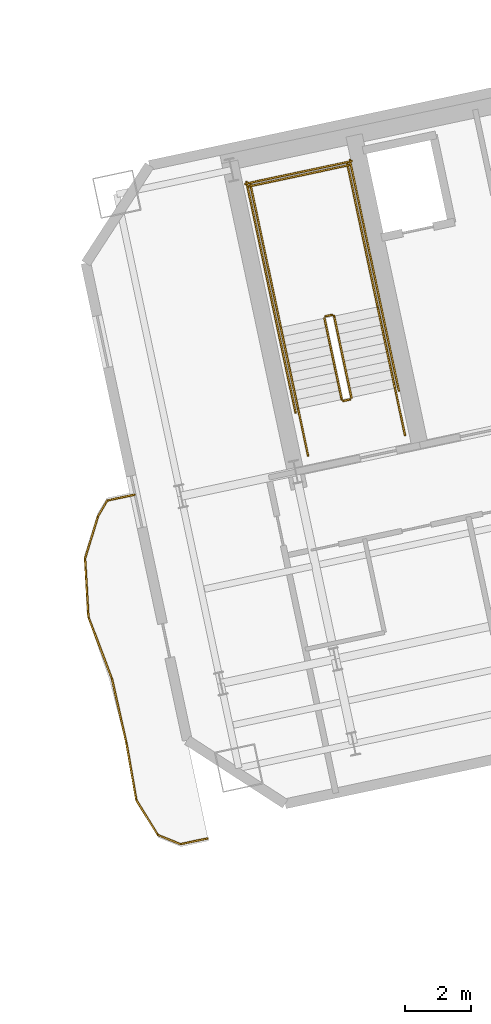
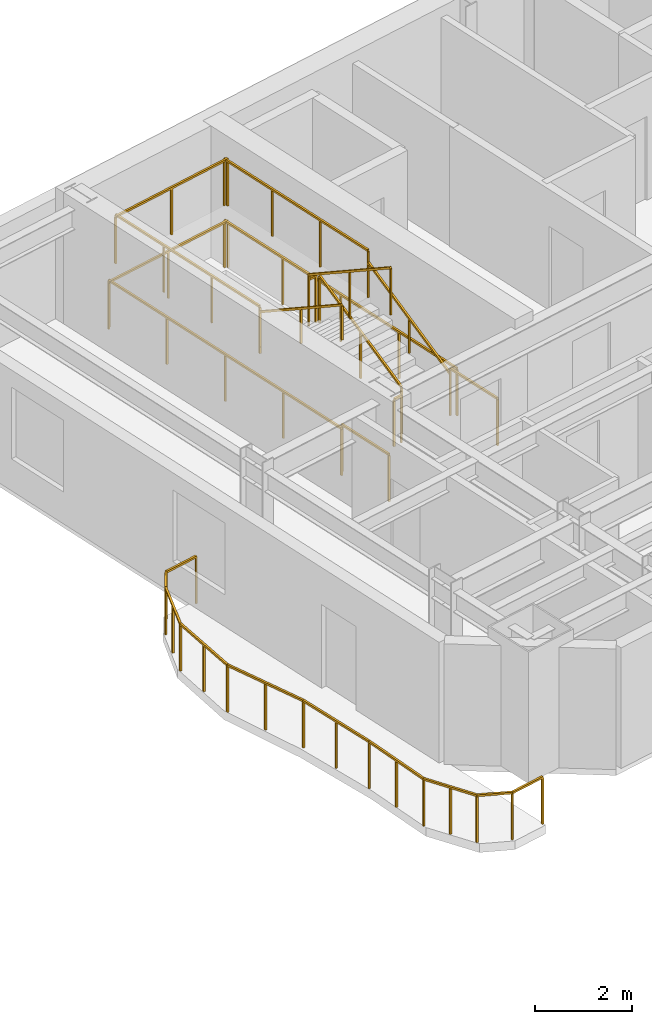
# One storey, part 13 of 14: 24 railings.
"""IFC4 building model written with IfcOpenShell, lengths in metres."""

from ifc_helpers import new_model, si_unit, direction, frame, origin, origin_2d, place, context, subcontext, project, spatial, rectangle, extrude, material, type_object, element, save


model = new_model("IFC4")

# Units and contexts
model_context = context("Model", 3, precision=1e-05, world=origin(), true_north=direction((0.0, 1.0)))
body_context = subcontext(model_context, "Body", "Model", "MODEL_VIEW")
ifc_project = project(units=[si_unit("LENGTHUNIT", "METRE"), si_unit("AREAUNIT", "SQUARE_METRE"), si_unit("VOLUMEUNIT", "CUBIC_METRE"), si_unit("PLANEANGLEUNIT", "RADIAN"), si_unit("MASSUNIT", "GRAM", prefix="KILO")], contexts=[model_context])

# Site, building, storey
site_placement = place(None, origin())
site = spatial("IfcSite", under=ifc_project, at=site_placement, CompositionType="ELEMENT")
building_placement = place(site_placement, origin())
building = spatial("IfcBuilding", under=site, at=building_placement, Name="Haevon Station Towers", CompositionType="ELEMENT")
storey_placement = place(building_placement, frame((0.0, 0.0, 179.10009765625)))
storey = spatial("IfcBuildingStorey", under=building, at=storey_placement, Name="L49", CompositionType="ELEMENT", Elevation=179.10009765625)

# Railings
ifc_material = material(Name="Steel S355", Category="steel")
railing_type_1 = type_object("IfcRailingType", Name="GRD-EXT1200", PredefinedType="GUARDRAIL", material=ifc_material)
railing_1_placement = place(storey_placement, frame((93.866455078125, 36.74853515625, 0.0)))
element("IfcRailing", 1, at=railing_1_placement, inside=storey, type_object=railing_type_1, Name="L49 Perimeter Guardrail 1", PredefinedType="GUARDRAIL", context=body_context, shape_type="SweptSolid", body=[
    extrude(rectangle(XDim=0.048095703125, YDim=0.048095703125, at=origin_2d()), frame((0.0, 0.0, 1.17578125), z_axis=(-0.977691431104, -0.210046341426, 0.0), x_axis=(0.210046341426, -0.977691431104, 0.0)), (0.0, 0.0, 1.0), 0.838134765625),
    extrude(rectangle(XDim=0.0419921875, YDim=0.0419921875, at=origin_2d()), origin(), (0.0, 0.0, 1.0), 1.15185546875),
    extrude(rectangle(XDim=0.0419921875, YDim=0.0419921875, at=origin_2d()), frame((-0.8193359375, -0.176025390625, 0.0)), (0.0, 0.0, 1.0), 1.15185546875),
])
railing_2_placement = place(storey_placement, frame((93.047119140625, 36.572509765625, 0.0)))
element("IfcRailing", 2, at=railing_2_placement, inside=storey, type_object=railing_type_1, Name="L49 Perimeter Guardrail 2", PredefinedType="GUARDRAIL", context=body_context, shape_type="SweptSolid", body=[
    extrude(rectangle(XDim=0.048095703125, YDim=0.048095703125, at=origin_2d()), frame((0.0, 0.0, 1.17578125), z_axis=(-0.50791843556, -0.861405167629, 0.0), x_axis=(0.861405167629, -0.50791843556, 0.0)), (0.0, 0.0, 1.0), 0.55810546875),
    extrude(rectangle(XDim=0.0419921875, YDim=0.0419921875, at=origin_2d()), origin(), (0.0, 0.0, 1.0), 1.15185546875),
    extrude(rectangle(XDim=0.0419921875, YDim=0.0419921875, at=origin_2d()), frame((-0.283447265625, -0.480712890625, 0.0)), (0.0, 0.0, 1.0), 1.15185546875),
])
railing_3_placement = place(storey_placement, frame((92.763671875, 36.091796875, 0.0)))
element("IfcRailing", 3, at=railing_3_placement, inside=storey, type_object=railing_type_1, Name="L49 Perimeter Guardrail 3", PredefinedType="GUARDRAIL", context=body_context, shape_type="SweptSolid", body=[
    extrude(rectangle(XDim=0.048095703125, YDim=0.048095703125, at=origin_2d()), frame((0.0, 0.0, 1.17578125), z_axis=(-0.290899845099, -0.95675351064, 0.0), x_axis=(0.95675351064, -0.290899845099, 0.0)), (0.0, 0.0, 1.0), 1.336181640625),
    extrude(rectangle(XDim=0.0419921875, YDim=0.0419921875, at=origin_2d()), origin(), (0.0, 0.0, 1.0), 1.15185546875),
    extrude(rectangle(XDim=0.0419921875, YDim=0.0419921875, at=origin_2d()), frame((-0.1943359375, -0.63916015625, 0.0)), (0.0, 0.0, 1.0), 1.15185546875),
    extrude(rectangle(XDim=0.0419921875, YDim=0.0419921875, at=origin_2d()), frame((-0.388671875, -1.2783203125, 0.0)), (0.0, 0.0, 1.0), 1.15185546875),
])
railing_4_placement = place(storey_placement, frame((92.375, 34.8134765625, 0.0)))
element("IfcRailing", 4, at=railing_4_placement, inside=storey, type_object=railing_type_1, Name="L49 Perimeter Guardrail 4", PredefinedType="GUARDRAIL", context=body_context, shape_type="SweptSolid", body=[
    extrude(rectangle(XDim=0.048095703125, YDim=0.048095703125, at=origin_2d()), frame((0.0, 0.0, 1.17578125), z_axis=(0.057490580882, -0.998346048778, 0.0), x_axis=(0.998346048778, 0.057490580882, 0.0)), (0.0, 0.0, 1.0), 1.7666015625),
    extrude(rectangle(XDim=0.0419921875, YDim=0.0419921875, at=origin_2d()), origin(), (0.0, 0.0, 1.0), 1.15185546875),
    extrude(rectangle(XDim=0.0419921875, YDim=0.0419921875, at=origin_2d()), frame((0.05078125, -0.8818359375, 0.0)), (0.0, 0.0, 1.0), 1.15185546875),
    extrude(rectangle(XDim=0.0419921875, YDim=0.0419921875, at=origin_2d()), frame((0.1015625, -1.763671875, 0.0)), (0.0, 0.0, 1.0), 1.15185546875),
])
railing_5_placement = place(storey_placement, frame((92.4765625, 33.0498046875, 0.0)))
element("IfcRailing", 5, at=railing_5_placement, inside=storey, type_object=railing_type_1, Name="L49 Perimeter Guardrail 5", PredefinedType="GUARDRAIL", context=body_context, shape_type="SweptSolid", body=[
    extrude(rectangle(XDim=0.048095703125, YDim=0.048095703125, at=origin_2d()), frame((0.0, 0.0, 1.17578125), z_axis=(0.35410675099, -0.935205009024, 0.0), x_axis=(0.935205009024, 0.35410675099, 0.0)), (0.0, 0.0, 1.0), 2.0166015625),
    extrude(rectangle(XDim=0.0419921875, YDim=0.0419921875, at=origin_2d()), origin(), (0.0, 0.0, 1.0), 1.15185546875),
    extrude(rectangle(XDim=0.0419921875, YDim=0.0419921875, at=origin_2d()), frame((0.35693359375, -0.94287109375, 0.0)), (0.0, 0.0, 1.0), 1.15185546875),
    extrude(rectangle(XDim=0.0419921875, YDim=0.0419921875, at=origin_2d()), frame((0.714111328125, -1.885986328125, 0.0)), (0.0, 0.0, 1.0), 1.15185546875),
])
railing_6_placement = place(storey_placement, frame((93.190673828125, 31.163818359375, 0.0)))
element("IfcRailing", 6, at=railing_6_placement, inside=storey, type_object=railing_type_1, Name="L49 Perimeter Guardrail 6", PredefinedType="GUARDRAIL", context=body_context, shape_type="SweptSolid", body=[
    extrude(rectangle(XDim=0.048095703125, YDim=0.048095703125, at=origin_2d()), frame((0.0, 0.0, 1.17578125), z_axis=(0.220411539334, -0.975406968054, 0.0), x_axis=(0.975406968054, 0.220411539334, 0.0)), (0.0, 0.0, 1.0), 1.9892578125),
    extrude(rectangle(XDim=0.0419921875, YDim=0.0419921875, at=origin_2d()), origin(), (0.0, 0.0, 1.0), 1.15185546875),
    extrude(rectangle(XDim=0.0419921875, YDim=0.0419921875, at=origin_2d()), frame((0.21923828125, -0.97021484375, 0.0)), (0.0, 0.0, 1.0), 1.15185546875),
    extrude(rectangle(XDim=0.0419921875, YDim=0.0419921875, at=origin_2d()), frame((0.4384765625, -1.9404296875, 0.0)), (0.0, 0.0, 1.0), 1.15185546875),
])
railing_7_placement = place(storey_placement, frame((93.629150390625, 29.223388671875, 0.0)))
element("IfcRailing", 7, at=railing_7_placement, inside=storey, type_object=railing_type_1, Name="L49 Perimeter Guardrail 7", PredefinedType="GUARDRAIL", context=body_context, shape_type="SweptSolid", body=[
    extrude(rectangle(XDim=0.048095703125, YDim=0.048095703125, at=origin_2d()), frame((0.0, 0.0, 1.17578125), z_axis=(0.171741201194, -0.98514210133, 0.0), x_axis=(0.98514210133, 0.171741201194, 0.0)), (0.0, 0.0, 1.0), 1.75146484375),
    extrude(rectangle(XDim=0.0419921875, YDim=0.0419921875, at=origin_2d()), origin(), (0.0, 0.0, 1.0), 1.15185546875),
    extrude(rectangle(XDim=0.0419921875, YDim=0.0419921875, at=origin_2d()), frame((0.150390625, -0.86279296875, 0.0)), (0.0, 0.0, 1.0), 1.15185546875),
    extrude(rectangle(XDim=0.0419921875, YDim=0.0419921875, at=origin_2d()), frame((0.30078125, -1.725341796875, 0.0)), (0.0, 0.0, 1.0), 1.15185546875),
])
railing_8_placement = place(storey_placement, frame((93.929931640625, 27.498046875, 0.0)))
element("IfcRailing", 8, at=railing_8_placement, inside=storey, type_object=railing_type_1, Name="L49 Perimeter Guardrail 8", PredefinedType="GUARDRAIL", context=body_context, shape_type="SweptSolid", body=[
    extrude(rectangle(XDim=0.048095703125, YDim=0.048095703125, at=origin_2d()), frame((0.0, 0.0, 1.17578125), z_axis=(0.525664401049, -0.850692034446, 0.0), x_axis=(0.850692034446, 0.525664401049, 0.0)), (0.0, 0.0, 1.0), 1.242431640625),
    extrude(rectangle(XDim=0.0419921875, YDim=0.0419921875, at=origin_2d()), origin(), (0.0, 0.0, 1.0), 1.15185546875),
    extrude(rectangle(XDim=0.0419921875, YDim=0.0419921875, at=origin_2d()), frame((0.32666015625, -0.5283203125, 0.0)), (0.0, 0.0, 1.0), 1.15185546875),
    extrude(rectangle(XDim=0.0419921875, YDim=0.0419921875, at=origin_2d()), frame((0.653076171875, -1.056884765625, 0.0)), (0.0, 0.0, 1.0), 1.15185546875),
])
railing_9_placement = place(storey_placement, frame((94.5830078125, 26.441162109375, 0.0)))
element("IfcRailing", 9, at=railing_9_placement, inside=storey, type_object=railing_type_1, Name="L49 Perimeter Guardrail 9", PredefinedType="GUARDRAIL", context=body_context, shape_type="SweptSolid", body=[
    extrude(rectangle(XDim=0.048095703125, YDim=0.048095703125, at=origin_2d()), frame((0.0, 0.0, 1.17578125), z_axis=(0.925616112993, -0.378463751722, 0.0), x_axis=(0.378463751722, 0.925616112993, 0.0)), (0.0, 0.0, 1.0), 0.73095703125),
    extrude(rectangle(XDim=0.0419921875, YDim=0.0419921875, at=origin_2d()), origin(), (0.0, 0.0, 1.0), 1.15185546875),
    extrude(rectangle(XDim=0.0419921875, YDim=0.0419921875, at=origin_2d()), frame((0.676513671875, -0.276611328125, 0.0)), (0.0, 0.0, 1.0), 1.15185546875),
])
railing_10_placement = place(storey_placement, frame((95.259521484375, 26.16455078125, 0.0)))
element("IfcRailing", 10, at=railing_10_placement, inside=storey, type_object=railing_type_1, Name="L49 Perimeter Guardrail 10", PredefinedType="GUARDRAIL", context=body_context, shape_type="SweptSolid", body=[
    extrude(rectangle(XDim=0.048095703125, YDim=0.048095703125, at=origin_2d()), frame((0.0, 0.0, 1.17578125), z_axis=(0.978605406054, 0.205746103834, 0.0), x_axis=(-0.205746103834, 0.978605406054, 0.0)), (0.0, 0.0, 1.0), 0.837646484375),
    extrude(rectangle(XDim=0.0419921875, YDim=0.0419921875, at=origin_2d()), origin(), (0.0, 0.0, 1.0), 1.15185546875),
    extrude(rectangle(XDim=0.0419921875, YDim=0.0419921875, at=origin_2d()), frame((0.81982421875, 0.17236328125, 0.0)), (0.0, 0.0, 1.0), 1.15185546875),
])
railing_type_2 = type_object("IfcRailingType", Name="GRD-STR1200", PredefinedType="GUARDRAIL", material=ifc_material)
railing_11_placement = place(storey_placement, frame((100.44140625, 39.69287109375, 0.164794921875)))
element("IfcRailing", 11, at=railing_11_placement, inside=storey, type_object=railing_type_2, Name="L49 ST3 Stair Guard 1", PredefinedType="GUARDRAIL", context=body_context, shape_type="SweptSolid", body=[
    extrude(rectangle(XDim=0.048095703125, YDim=0.048095703125, at=origin_2d()), frame((0.0, 0.0, 1.17578125), z_axis=(-0.179121265225, 0.842687928106, 0.507732831485), x_axis=(-0.978147030254, -0.207914374695, 0.0)), (0.0, 0.0, 1.0), 2.925048828125),
    extrude(rectangle(XDim=0.0419921875, YDim=0.0419921875, at=origin_2d()), origin(), (0.0, 0.0, 1.0), 1.15185546875),
    extrude(rectangle(XDim=0.0419921875, YDim=0.0419921875, at=origin_2d()), frame((-0.261962890625, 1.232421875, 0.74267578125)), (0.0, 0.0, 1.0), 1.15185546875),
    extrude(rectangle(XDim=0.0419921875, YDim=0.0419921875, at=origin_2d()), frame((-0.52392578125, 2.46484375, 1.485107421875)), (0.0, 0.0, 1.0), 1.15185546875),
])
railing_12_placement = place(storey_placement, frame((99.858154296875, 42.1962890625, 1.64990234375)))
element("IfcRailing", 12, at=railing_12_placement, inside=storey, type_object=railing_type_2, Name="L49 ST3 Stair Guard 2", PredefinedType="GUARDRAIL", context=body_context, shape_type="SweptSolid", body=[
    extrude(rectangle(XDim=0.048095703125, YDim=0.048095703125, at=origin_2d()), frame((0.0, 0.0, 1.17578125), z_axis=(-0.977962931203, -0.208778603291, 0.0), x_axis=(0.208778603291, -0.977962931203, 0.0)), (0.0, 0.0, 1.0), 0.199951171875),
    extrude(rectangle(XDim=0.0419921875, YDim=0.0419921875, at=origin_2d()), origin(), (0.0, 0.0, 1.0), 1.15185546875),
    extrude(rectangle(XDim=0.0419921875, YDim=0.0419921875, at=origin_2d()), frame((-0.195556640625, -0.041748046875, 0.0)), (0.0, 0.0, 1.0), 1.15185546875),
])
railing_13_placement = place(storey_placement, frame((101.238037109375, 42.4384765625, 1.64990234375)))
element("IfcRailing", 13, at=railing_13_placement, inside=storey, type_object=railing_type_2, Name="L49 ST3 Stair Guard 3", PredefinedType="GUARDRAIL", context=body_context, shape_type="SweptSolid", body=[
    extrude(rectangle(XDim=0.048095703125, YDim=0.048095703125, at=origin_2d()), frame((0.0, 0.0, 1.17578125), z_axis=(-0.20794048909, 0.978141479029, 0.0), x_axis=(-0.978141479029, -0.20794048909, 0.0)), (0.0, 0.0, 1.0), 4.429931640625),
    extrude(rectangle(XDim=0.0419921875, YDim=0.0419921875, at=origin_2d()), origin(), (0.0, 0.0, 1.0), 1.15185546875),
    extrude(rectangle(XDim=0.0419921875, YDim=0.0419921875, at=origin_2d()), frame((-0.30712890625, 1.4443359375, 0.0)), (0.0, 0.0, 1.0), 1.15185546875),
    extrude(rectangle(XDim=0.0419921875, YDim=0.0419921875, at=origin_2d()), frame((-0.614013671875, 2.888671875, 0.0)), (0.0, 0.0, 1.0), 1.15185546875),
    extrude(rectangle(XDim=0.0419921875, YDim=0.0419921875, at=origin_2d()), frame((-0.921142578125, 4.3330078125, 0.0)), (0.0, 0.0, 1.0), 1.15185546875),
])
railing_14_placement = place(storey_placement, frame((98.303466796875, 41.814697265625, 1.64990234375)))
element("IfcRailing", 14, at=railing_14_placement, inside=storey, type_object=railing_type_2, Name="L49 ST3 Stair Guard 4", PredefinedType="GUARDRAIL", context=body_context, shape_type="SweptSolid", body=[
    extrude(rectangle(XDim=0.048095703125, YDim=0.048095703125, at=origin_2d()), frame((0.0, 0.0, 1.17578125), z_axis=(-0.207876551949, 0.978155069071, 0.0), x_axis=(-0.978155069071, -0.207876551949, 0.0)), (0.0, 0.0, 1.0), 4.429931640625),
    extrude(rectangle(XDim=0.0419921875, YDim=0.0419921875, at=origin_2d()), origin(), (0.0, 0.0, 1.0), 1.15185546875),
    extrude(rectangle(XDim=0.0419921875, YDim=0.0419921875, at=origin_2d()), frame((-0.306884765625, 1.4443359375, 0.0)), (0.0, 0.0, 1.0), 1.15185546875),
    extrude(rectangle(XDim=0.0419921875, YDim=0.0419921875, at=origin_2d()), frame((-0.614013671875, 2.888916015625, 0.0)), (0.0, 0.0, 1.0), 1.15185546875),
    extrude(rectangle(XDim=0.0419921875, YDim=0.0419921875, at=origin_2d()), frame((-0.9208984375, 4.333251953125, 0.0)), (0.0, 0.0, 1.0), 1.15185546875),
])
railing_15_placement = place(storey_placement, frame((100.376220703125, 46.733154296875, 1.64990234375)))
element("IfcRailing", 15, at=railing_15_placement, inside=storey, type_object=railing_type_2, Name="L49 ST3 Stair Guard 5", PredefinedType="GUARDRAIL", context=body_context, shape_type="SweptSolid", body=[
    extrude(rectangle(XDim=0.048095703125, YDim=0.048095703125, at=origin_2d()), frame((0.0, 0.0, 1.17578125), z_axis=(-0.978146839882, -0.207915270313, 0.0), x_axis=(0.207915270313, -0.978146839882, 0.0)), (0.0, 0.0, 1.0), 3.099853515625),
    extrude(rectangle(XDim=0.0419921875, YDim=0.0419921875, at=origin_2d()), origin(), (0.0, 0.0, 1.0), 1.15185546875),
    extrude(rectangle(XDim=0.0419921875, YDim=0.0419921875, at=origin_2d()), frame((-1.51611328125, -0.322265625, 0.0)), (0.0, 0.0, 1.0), 1.15185546875),
    extrude(rectangle(XDim=0.0419921875, YDim=0.0419921875, at=origin_2d()), frame((-3.0322265625, -0.64453125, 0.0)), (0.0, 0.0, 1.0), 1.15185546875),
])
railing_16_placement = place(storey_placement, frame((99.6240234375, 42.09521484375, 1.81494140625)))
element("IfcRailing", 16, at=railing_16_placement, inside=storey, type_object=railing_type_2, Name="L49 ST3 Stair Guard 6", PredefinedType="GUARDRAIL", context=body_context, shape_type="SweptSolid", body=[
    extrude(rectangle(XDim=0.048095703125, YDim=0.048095703125, at=origin_2d()), frame((0.0, 0.0, 1.17578125), z_axis=(0.179128856099, -0.842723639875, 0.507670877349), x_axis=(0.978147030254, 0.207914374695, 0.0)), (0.0, 0.0, 1.0), 2.9248046875),
    extrude(rectangle(XDim=0.0419921875, YDim=0.0419921875, at=origin_2d()), origin(), (0.0, 0.0, 1.0), 1.15185546875),
    extrude(rectangle(XDim=0.0419921875, YDim=0.0419921875, at=origin_2d()), frame((0.261962890625, -1.232421875, 0.742431640625)), (0.0, 0.0, 1.0), 1.15185546875),
    extrude(rectangle(XDim=0.0419921875, YDim=0.0419921875, at=origin_2d()), frame((0.52392578125, -2.46484375, 1.48486328125)), (0.0, 0.0, 1.0), 1.15185546875),
])
railing_17_placement = place(storey_placement, frame((100.40283203125, 39.633544921875, 0.0)))
element("IfcRailing", 17, at=railing_17_placement, inside=storey, type_object=railing_type_2, Name="L49 ST3 Stair Guard 7", PredefinedType="GUARDRAIL", context=body_context, shape_type="SweptSolid", body=[
    extrude(rectangle(XDim=0.048095703125, YDim=0.048095703125, at=origin_2d()), frame((0.0, 0.0, 1.17578125), z_axis=(-0.977962931203, -0.208778603291, 0.0), x_axis=(0.208778603291, -0.977962931203, 0.0)), (0.0, 0.0, 1.0), 0.199951171875),
    extrude(rectangle(XDim=0.0419921875, YDim=0.0419921875, at=origin_2d()), origin(), (0.0, 0.0, 1.0), 1.15185546875),
    extrude(rectangle(XDim=0.0419921875, YDim=0.0419921875, at=origin_2d()), frame((-0.195556640625, -0.041748046875, 0.0)), (0.0, 0.0, 1.0), 1.15185546875),
])
for number, where, name in (
    (18, (102.0634765625, 38.55517578125, 0.0), "L49 ST3 Stair Guard 8"),
    (19, (99.12890625, 37.931396484375, 0.0), "L49 ST3 Stair Guard 9"),
):
    element("IfcRailing", number, at=place(storey_placement, frame(where)), inside=storey, type_object=railing_type_2, Name=name, PredefinedType="GUARDRAIL", context=body_context, shape_type="SweptSolid", body=[
        extrude(rectangle(XDim=0.048095703125, YDim=0.048095703125, at=origin_2d()), frame((0.0, 0.0, 1.17578125), z_axis=(-0.207953405961, 0.978138732977, 0.0), x_axis=(-0.978138732977, -0.207953405961, 0.0)), (0.0, 0.0, 1.0), 1.449951171875),
        extrude(rectangle(XDim=0.0419921875, YDim=0.0419921875, at=origin_2d()), origin(), (0.0, 0.0, 1.0), 1.15185546875),
        extrude(rectangle(XDim=0.0419921875, YDim=0.0419921875, at=origin_2d()), frame((-0.301513671875, 1.418212890625, 0.0)), (0.0, 0.0, 1.0), 1.15185546875),
    ])
railing_18_placement = place(storey_placement, frame((101.88037109375, 39.896484375, 0.0)))
element("IfcRailing", 20, at=railing_18_placement, inside=storey, type_object=railing_type_2, Name="L49 ST3 Stair Guard 10", PredefinedType="GUARDRAIL", context=body_context, shape_type="SweptSolid", body=[
    extrude(rectangle(XDim=0.048095703125, YDim=0.048095703125, at=origin_2d()), frame((0.0, 0.0, 1.17578125), z_axis=(-0.207882442208, 0.978153817261, 0.0), x_axis=(-0.978153817261, -0.207882442208, 0.0)), (0.0, 0.0, 1.0), 7.14990234375),
    extrude(rectangle(XDim=0.0419921875, YDim=0.0419921875, at=origin_2d()), origin(), (0.0, 0.0, 1.0), 1.15185546875),
    extrude(rectangle(XDim=0.0419921875, YDim=0.0419921875, at=origin_2d()), frame((-0.37158203125, 1.74853515625, 0.0)), (0.0, 0.0, 1.0), 1.15185546875),
    extrude(rectangle(XDim=0.0419921875, YDim=0.0419921875, at=origin_2d()), frame((-0.7431640625, 3.496826171875, 0.0)), (0.0, 0.0, 1.0), 1.15185546875),
    extrude(rectangle(XDim=0.0419921875, YDim=0.0419921875, at=origin_2d()), frame((-1.11474609375, 5.2451171875, 0.0)), (0.0, 0.0, 1.0), 1.15185546875),
    extrude(rectangle(XDim=0.0419921875, YDim=0.0419921875, at=origin_2d()), frame((-1.486328125, 6.99365234375, 0.0)), (0.0, 0.0, 1.0), 1.15185546875),
])
railing_19_placement = place(storey_placement, frame((98.75048828125, 39.231201171875, 0.0)))
element("IfcRailing", 21, at=railing_19_placement, inside=storey, type_object=railing_type_2, Name="L49 ST3 Stair Guard 11", PredefinedType="GUARDRAIL", context=body_context, shape_type="SweptSolid", body=[
    extrude(rectangle(XDim=0.048095703125, YDim=0.048095703125, at=origin_2d()), frame((0.0, 0.0, 1.17578125), z_axis=(-0.207915112487, 0.978146873429, 0.0), x_axis=(-0.978146873429, -0.207915112487, 0.0)), (0.0, 0.0, 1.0), 7.14990234375),
    extrude(rectangle(XDim=0.0419921875, YDim=0.0419921875, at=origin_2d()), origin(), (0.0, 0.0, 1.0), 1.15185546875),
    extrude(rectangle(XDim=0.0419921875, YDim=0.0419921875, at=origin_2d()), frame((-0.37158203125, 1.74853515625, 0.0)), (0.0, 0.0, 1.0), 1.15185546875),
    extrude(rectangle(XDim=0.0419921875, YDim=0.0419921875, at=origin_2d()), frame((-0.7431640625, 3.496826171875, 0.0)), (0.0, 0.0, 1.0), 1.15185546875),
    extrude(rectangle(XDim=0.0419921875, YDim=0.0419921875, at=origin_2d()), frame((-1.114990234375, 5.2451171875, 0.0)), (0.0, 0.0, 1.0), 1.15185546875),
    extrude(rectangle(XDim=0.0419921875, YDim=0.0419921875, at=origin_2d()), frame((-1.486572265625, 6.99365234375, 0.0)), (0.0, 0.0, 1.0), 1.15185546875),
])
railing_20_placement = place(storey_placement, frame((100.453125, 46.8515625, 0.0)))
element("IfcRailing", 22, at=railing_20_placement, inside=storey, type_object=railing_type_2, Name="L49 ST3 Stair Guard 12", PredefinedType="GUARDRAIL", context=body_context, shape_type="SweptSolid", body=[
    extrude(rectangle(XDim=0.048095703125, YDim=0.048095703125, at=origin_2d()), frame((0.0, 0.0, 1.17578125), z_axis=(-0.978150764849, -0.207896804268, 0.0), x_axis=(0.207896804268, -0.978150764849, 0.0)), (0.0, 0.0, 1.0), 3.2998046875),
    extrude(rectangle(XDim=0.0419921875, YDim=0.0419921875, at=origin_2d()), origin(), (0.0, 0.0, 1.0), 1.15185546875),
    extrude(rectangle(XDim=0.0419921875, YDim=0.0419921875, at=origin_2d()), frame((-1.61376953125, -0.343017578125, 0.0)), (0.0, 0.0, 1.0), 1.15185546875),
    extrude(rectangle(XDim=0.0419921875, YDim=0.0419921875, at=origin_2d()), frame((-3.227783203125, -0.68603515625, 0.0)), (0.0, 0.0, 1.0), 1.15185546875),
])
railing_type_3 = type_object("IfcRailingType", Name="HND-STR900", PredefinedType="HANDRAIL", material=ifc_material)
railing_21_placement = place(storey_placement, frame((101.761962890625, 39.973388671875, 0.164794921875)))
element("IfcRailing", 23, at=railing_21_placement, inside=storey, type_object=railing_type_3, Name="L49 ST3 Stair Handrail 1", PredefinedType="HANDRAIL", context=body_context, shape_type="SweptSolid", body=[
    extrude(rectangle(XDim=0.048095703125, YDim=0.048095703125, at=origin_2d()), frame((0.0, 0.0, 0.8759765625), z_axis=(-0.179108667068, 0.842712120868, 0.50769712105), x_axis=(-0.978151217824, -0.207894673017, 0.0)), (0.0, 0.0, 1.0), 2.92529296875),
    extrude(rectangle(XDim=0.0419921875, YDim=0.0419921875, at=origin_2d()), origin(), (0.0, 0.0, 1.0), 0.851806640625),
    extrude(rectangle(XDim=0.0419921875, YDim=0.0419921875, at=origin_2d()), frame((-0.261962890625, 1.232421875, 0.74267578125)), (0.0, 0.0, 1.0), 0.851806640625),
    extrude(rectangle(XDim=0.0419921875, YDim=0.0419921875, at=origin_2d()), frame((-0.52392578125, 2.465087890625, 1.485107421875)), (0.0, 0.0, 1.0), 0.851806640625),
])
railing_22_placement = place(storey_placement, frame((98.303466796875, 41.814697265625, 1.81494140625)))
element("IfcRailing", 24, at=railing_22_placement, inside=storey, type_object=railing_type_3, Name="L49 ST3 Stair Handrail 2", PredefinedType="HANDRAIL", context=body_context, shape_type="SweptSolid", body=[
    extrude(rectangle(XDim=0.048095703125, YDim=0.048095703125, at=origin_2d()), frame((0.0, 0.0, 0.8759765625), z_axis=(0.179116256339, -0.842747828638, 0.507635168246), x_axis=(0.978151217824, 0.207894673017, 0.0)), (0.0, 0.0, 1.0), 2.925048828125),
    extrude(rectangle(XDim=0.0419921875, YDim=0.0419921875, at=origin_2d()), origin(), (0.0, 0.0, 1.0), 0.851806640625),
    extrude(rectangle(XDim=0.0419921875, YDim=0.0419921875, at=origin_2d()), frame((0.261962890625, -1.232421875, 0.742431640625)), (0.0, 0.0, 1.0), 0.851806640625),
    extrude(rectangle(XDim=0.0419921875, YDim=0.0419921875, at=origin_2d()), frame((0.52392578125, -2.465087890625, 1.48486328125)), (0.0, 0.0, 1.0), 0.851806640625),
])

save(model, "model.ifc")
